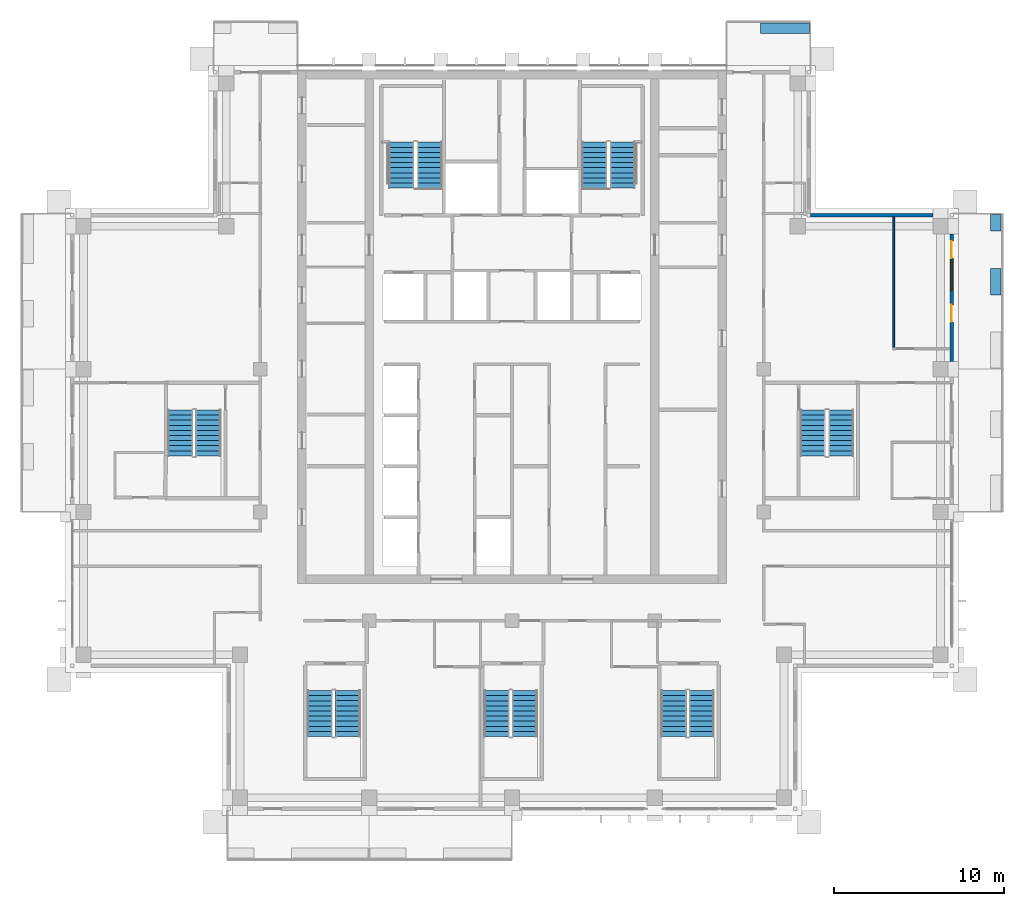
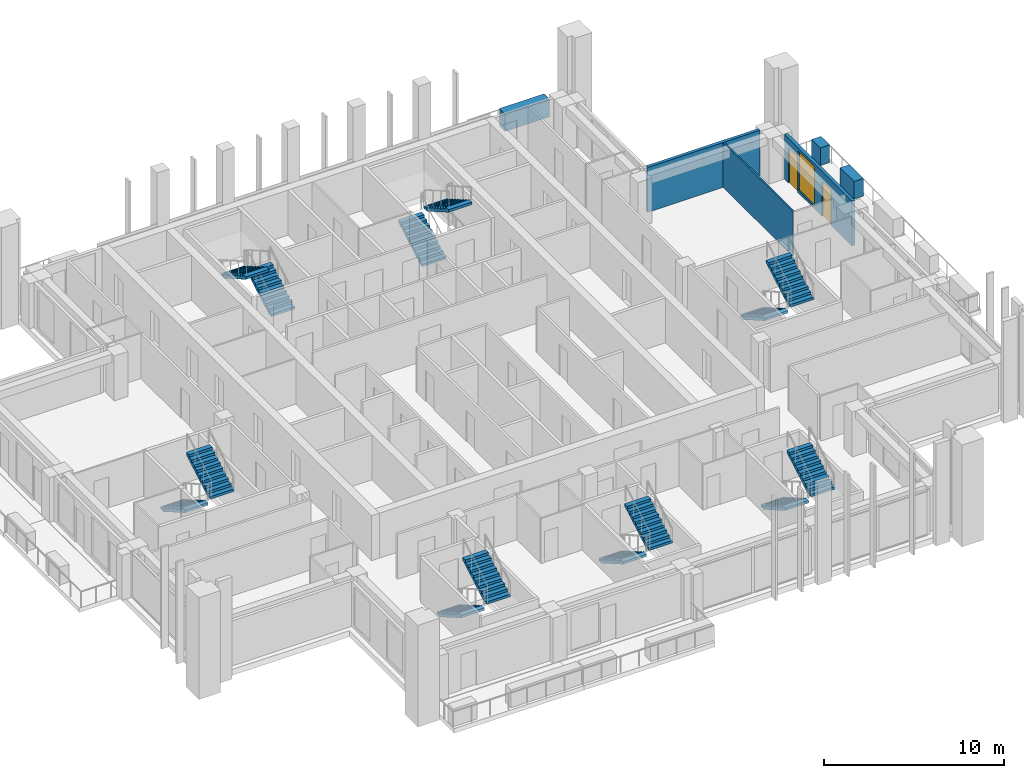
# One storey, part 12 of 16: 14 stair flights, 6 walls, 2 doors, 1 window, 3 openings, 7 elements without a shape of their own.
"""IFC4 building model written with IfcOpenShell, lengths in metres."""

import ifcopenshell
import ifcopenshell.guid

model = None  # the IFC model being written
_history = None  # IfcOwnerHistory: only IFC2X3 demands one
_inside = {}  # id of a spatial element -> (the spatial element, [elements in it])
_under = {}  # id of a project, library or spatial element -> (it, [spatial elements below it])
_declared = {}  # id of a project -> (the project, [libraries it declares])
_typed = {}  # id of a type object -> (the type object, [elements of that type])
_made_of = {}  # id of a material, layer set ... -> (it, [elements and type objects made of it])


def new_model(schema):
    """Start an empty IFC model of exactly this schema.

    Asked for "IFC4X3", IfcOpenShell would pick the latest addendum, in which some entities
    have other attributes; the version numbers below select the first issue.
    IFC2X3 requires an IfcOwnerHistory on every rooted entity: one is made here for all.
    """
    global model, _history
    if schema == "IFC4X3":
        model = ifcopenshell.file(schema_version=(4, 3, 0, 0))
    else:
        model = ifcopenshell.file(schema=schema)
    _inside.clear()
    _under.clear()
    _declared.clear()
    _typed.clear()
    _made_of.clear()
    _history = None
    if model.schema == "IFC2X3":
        org = make("IfcOrganization", Name="unknown")
        user = make(
            "IfcPersonAndOrganization",
            ThePerson=make("IfcPerson", FamilyName="unknown"),
            TheOrganization=org,
        )
        app = make(
            "IfcApplication",
            ApplicationDeveloper=org,
            Version="unknown",
            ApplicationFullName="unknown",
            ApplicationIdentifier="unknown",
        )
        _history = make(
            "IfcOwnerHistory",
            OwningUser=user,
            OwningApplication=app,
            ChangeAction="ADDED",
            CreationDate=0,
        )
    return model


def make(cls, **values):
    """One entity of the class cls with the attributes given. An attribute that is None is left unset."""
    return model.create_entity(
        cls, **{name: value for name, value in values.items() if value is not None}
    )


def rooted(cls, **values):
    """An entity with a GlobalId (a new one), such as an element, a storey or a relation."""
    return make(cls, GlobalId=ifcopenshell.guid.new(), OwnerHistory=_history, **values)


def si_unit(unit_type, name, prefix=None):
    """IfcSIUnit, for example si_unit("LENGTHUNIT", "METRE", prefix="MILLI")."""
    return make("IfcSIUnit", UnitType=unit_type, Prefix=prefix, Name=name)


def assignment(units):
    """IfcUnitAssignment: the units of a project."""
    return None if units is None else make("IfcUnitAssignment", Units=units)


def point(xyz):
    """IfcCartesianPoint."""
    return None if xyz is None else make("IfcCartesianPoint", Coordinates=xyz)


def direction(xyz):
    """IfcDirection."""
    return None if xyz is None else make("IfcDirection", DirectionRatios=xyz)


def frame(location, z_axis=None, x_axis=None):
    """IfcAxis2Placement3D, a coordinate frame: its origin and axes. An axis left out is left unset."""
    return make(
        "IfcAxis2Placement3D",
        Location=point(location),
        Axis=direction(z_axis),
        RefDirection=direction(x_axis),
    )


def frame_2d(location, x_axis=None):
    """IfcAxis2Placement2D, a coordinate frame in the plane: its origin and x axis."""
    return make(
        "IfcAxis2Placement2D", Location=point(location), RefDirection=direction(x_axis)
    )


def origin():
    """The frame at (0, 0, 0) with its axes left unset."""
    return frame((0.0, 0.0, 0.0))


def place(relative_to, where):
    """IfcLocalPlacement: puts the frame where relative to a parent placement (None: the world)."""
    return make(
        "IfcLocalPlacement", PlacementRelTo=relative_to, RelativePlacement=where
    )


def context(
    kind, dimensions, precision=None, world=None, true_north=None, identifier=None
):
    """IfcGeometricRepresentationContext, for example the 3D "Model" context."""
    return make(
        "IfcGeometricRepresentationContext",
        ContextIdentifier=identifier,
        ContextType=kind,
        CoordinateSpaceDimension=dimensions,
        Precision=precision,
        WorldCoordinateSystem=world,
        TrueNorth=true_north,
    )


def subcontext(parent, identifier, kind, view, scale=None):
    """IfcGeometricRepresentationSubContext, for example "Body" below "Model"."""
    return make(
        "IfcGeometricRepresentationSubContext",
        ContextIdentifier=identifier,
        ContextType=kind,
        ParentContext=parent,
        TargetScale=scale,
        TargetView=view,
    )


def project(units=None, contexts=None):
    """IfcProject with its units and contexts."""
    return rooted(
        "IfcProject",
        Name="project",
        RepresentationContexts=contexts,
        UnitsInContext=assignment(units),
    )


def spatial(cls, under=None, at=None, **own):
    """A site, building, storey or space (cls), placed at a placement, below another one or the project."""
    s = rooted(cls, ObjectPlacement=at, **own)
    if under is not None:
        _under.setdefault(under.id(), (under, []))[1].append(s)
    return s


def polyline(points):
    """IfcPolyline through the points."""
    return make("IfcPolyline", Points=[point(p) for p in points])


def profile(cls, at=None, kind="AREA", **sizes):
    """A parametric profile (cls). Its sizes go by their IFC names, for example OverallWidth=200.0."""
    return make(cls, ProfileType=kind, Position=at, **sizes)


def rectangle(**sizes):
    """IfcRectangleProfileDef."""
    return profile("IfcRectangleProfileDef", **sizes)


def outline(outer, holes=None, kind="AREA"):
    """IfcArbitraryClosedProfileDef: a profile drawn as a closed curve; with holes, ...WithVoids."""
    if holes is None:
        return make("IfcArbitraryClosedProfileDef", ProfileType=kind, OuterCurve=outer)
    return make(
        "IfcArbitraryProfileDefWithVoids",
        ProfileType=kind,
        OuterCurve=outer,
        InnerCurves=holes,
    )


def extrude(swept, where, along, depth):
    """IfcExtrudedAreaSolid: the profile swept, set in the frame where, extruded along a direction by depth."""
    return make(
        "IfcExtrudedAreaSolid",
        SweptArea=swept,
        Position=where,
        ExtrudedDirection=direction(along),
        Depth=depth,
    )


def shape(context_of_items, identifier, shape_type, items):
    """IfcShapeRepresentation: the items that make up one representation, for example the "Body"."""
    return make(
        "IfcShapeRepresentation",
        ContextOfItems=context_of_items,
        RepresentationIdentifier=identifier,
        RepresentationType=shape_type,
        Items=items,
    )


def material(Name=None, Category=None):
    """IfcMaterial."""
    return make("IfcMaterial", Name=Name, Category=Category)


def layer(
    of_material, thickness, ventilated=None, Name=None, Category=None, Priority=None
):
    """IfcMaterialLayer: one layer of a wall or slab, of a material (None: an air gap)."""
    return make(
        "IfcMaterialLayer",
        Material=of_material,
        LayerThickness=thickness,
        IsVentilated=ventilated,
        Name=Name,
        Category=Category,
        Priority=Priority,
    )


def layer_set(layers, Name=None):
    """IfcMaterialLayerSet."""
    return make("IfcMaterialLayerSet", MaterialLayers=layers, LayerSetName=Name)


def made_of(thing, what):
    """Note that an element or type object is made of a material, layer set ...; save() writes the relation."""
    if what is not None:
        _made_of.setdefault(what.id(), (what, []))[1].append(thing)
    return thing


def type_object(cls, material=None, **own):
    """A type object (cls), such as IfcWallType, which elements share."""
    return made_of(rooted(cls, **own), material)


def element(
    cls,
    number,
    at=None,
    inside=None,
    cuts=None,
    type_object=None,
    material=None,
    context=None,
    identifier="Body",
    shape_type=None,
    held_by="IfcProductDefinitionShape",
    body=None,
    shapes=None,
    **own,
):
    """One element of the class cls, such as IfcWall. Its Tag is "e" and its number.

    at: its placement. inside: the storey or other place that contains it. cuts: it is an
    opening in that element (IfcRelVoidsElement). A single representation is given by context,
    identifier, shape_type and body (its items); several are given by shapes. held_by: the class
    of the entity that holds the representations. save() writes the other relations.
    """
    e = rooted(cls, Tag="e%d" % number, ObjectPlacement=at, **own)
    if body is not None:
        shapes = [shape(context, identifier, shape_type, body)]
    if shapes is not None:
        e.Representation = make(held_by, Representations=shapes)
    if inside is not None:
        _inside.setdefault(inside.id(), (inside, []))[1].append(e)
    if cuts is not None:
        rooted(
            "IfcRelVoidsElement", RelatingBuildingElement=cuts, RelatedOpeningElement=e
        )
    if type_object is not None:
        _typed.setdefault(type_object.id(), (type_object, []))[1].append(e)
    return made_of(e, material)


def fill(opening, filler):
    """IfcRelFillsElement: the door or window that sits in an opening."""
    return rooted(
        "IfcRelFillsElement",
        RelatingOpeningElement=opening,
        RelatedBuildingElement=filler,
    )


def aggregate(whole, parts):
    """IfcRelAggregates: a whole, such as a stair, and the parts it consists of."""
    return rooted("IfcRelAggregates", RelatingObject=whole, RelatedObjects=parts)


def save(model, path):
    """Write the relations noted so far, then the file.

    IfcRelAggregates (storeys below a building ...), IfcRelContainedInSpatialStructure (elements
    in a storey), IfcRelDefinesByType, IfcRelAssociatesMaterial and IfcRelDeclares: one each for
    every whole, place, type object, material and project.
    """
    for whole, parts in _under.values():
        aggregate(whole, parts)
    for where, things in _inside.values():
        rooted(
            "IfcRelContainedInSpatialStructure",
            RelatedElements=things,
            RelatingStructure=where,
        )
    for kind, things in _typed.values():
        rooted("IfcRelDefinesByType", RelatedObjects=things, RelatingType=kind)
    for what, things in _made_of.values():
        rooted("IfcRelAssociatesMaterial", RelatedObjects=things, RelatingMaterial=what)
    for by, libraries in _declared.values():
        rooted("IfcRelDeclares", RelatingContext=by, RelatedDefinitions=libraries)
    model.write(path)


model = new_model("IFC4")

# Units and contexts
model_context = context("Model", 3, precision=1e-05, world=origin(), true_north=direction((0.0, 1.0)))
body_context = subcontext(model_context, "Body", "Model", "MODEL_VIEW")
ifc_project = project(units=[si_unit("LENGTHUNIT", "METRE"), si_unit("AREAUNIT", "SQUARE_METRE"), si_unit("VOLUMEUNIT", "CUBIC_METRE"), si_unit("PLANEANGLEUNIT", "RADIAN"), si_unit("MASSUNIT", "GRAM", prefix="KILO")], contexts=[model_context])

# Site, building, storey
site_placement = place(None, origin())
site = spatial("IfcSite", under=ifc_project, at=site_placement, CompositionType="ELEMENT")
building_placement = place(site_placement, origin())
building = spatial("IfcBuilding", under=site, at=building_placement, Name="Vermilion Ogive Tower", CompositionType="ELEMENT")
storey_placement = place(building_placement, frame((0.0, 0.0, 247.60009765625)))
storey = spatial("IfcBuildingStorey", under=building, at=storey_placement, Name="L65", CompositionType="ELEMENT", Elevation=247.60009765625)

# Walls
ifc_material_1 = material(Name="Gypsum board partition on steel studs", Category="steel")
ifc_layer_1 = layer(ifc_material_1, 0.10009765625)
ifc_layer_set_1 = layer_set([ifc_layer_1], Name="Partition 100 inner")
wall_type_1 = type_object("IfcWallType", Name="Partition 100 inner", PredefinedType="PARTITIONING", material=ifc_layer_set_1)
wall_1_placement = place(storey_placement, frame((22.449951171875, 5.449951171875, 0.0), z_axis=(0.0, 0.0, 1.0), x_axis=(0.0, 1.0, 0.0)))
element("IfcWall", 1, at=wall_1_placement, inside=storey, type_object=wall_type_1, Name="L65-W-W064", PredefinedType="PARTITIONING", context=body_context, shape_type="SweptSolid", body=[
    extrude(rectangle(XDim=7.699951171875, YDim=0.10009765625, at=frame_2d((3.85009765625, 0.0))), origin(), (0.0, 0.0, 1.0), 3.0498046875),
])
ifc_material_2 = material(Name="Concrete B40", Category="concrete")
ifc_layer_2 = layer(ifc_material_2, 0.60009765625)
ifc_layer_set_2 = layer_set([ifc_layer_2], Name="Structural planter")
wall_type_2 = type_object("IfcWallType", Name="Structural planter", PredefinedType="USERDEFINED", material=ifc_layer_set_2)
wall_2_placement = place(storey_placement, frame((28.45361328125, 8.574951171875, -0.0400390625), z_axis=(0.0, 0.0, 1.0), x_axis=(0.0, 1.0, 0.0)))
element("IfcWall", 2, at=wall_2_placement, inside=storey, type_object=wall_type_2, Name="Planter E03A2", ObjectType="PLANTER", PredefinedType="USERDEFINED", context=body_context, shape_type="SweptSolid", body=[
    extrude(rectangle(XDim=1.550048828125, YDim=0.60009765625, at=frame_2d((0.77490234375, 0.0))), origin(), (0.0, 0.0, 1.0), 1.199951171875),
])
wall_3_placement = place(storey_placement, frame((28.45361328125, 12.324951171875, -0.0400390625), z_axis=(0.0, 0.0, 1.0), x_axis=(0.0, 1.0, 0.0)))
element("IfcWall", 3, at=wall_3_placement, inside=storey, type_object=wall_type_2, Name="Planter E03A3", ObjectType="PLANTER", PredefinedType="USERDEFINED", context=body_context, shape_type="SweptSolid", body=[
    extrude(rectangle(XDim=0.965087890625, YDim=0.60009765625, at=frame_2d((0.482421875, 0.0))), origin(), (0.0, 0.0, 1.0), 1.199951171875),
])
wall_4_placement = place(storey_placement, frame((17.489990234375, 24.253662109375, -0.0400390625), z_axis=(0.0, 0.0, 1.0), x_axis=(-1.0, 0.0, 0.0)))
element("IfcWall", 4, at=wall_4_placement, inside=storey, type_object=wall_type_2, Name="Planter N101A1", ObjectType="PLANTER", PredefinedType="USERDEFINED", context=body_context, shape_type="SweptSolid", body=[
    extrude(rectangle(XDim=2.864990234375, YDim=0.60009765625, at=frame_2d((1.4326171875, 0.0))), origin(), (0.0, 0.0, 1.0), 1.199951171875),
])

# Wall, openings, doors, window
ifc_material_3 = material(Name="Aluminium window wall framing", Category="aluminium")
ifc_layer_3 = layer(ifc_material_3, 0.199951171875)
ifc_layer_set_3 = layer_set([ifc_layer_3], Name="Window wall")
wall_type_3 = type_object("IfcWallType", Name="Window wall", PredefinedType="STANDARD", material=ifc_layer_set_3)
wall_5_placement = place(storey_placement, frame((25.85009765625, 4.64990234375, 0.0), z_axis=(0.0, 0.0, 1.0), x_axis=(0.0, 1.0, 0.0)))
wall_5 = element("IfcWall", 5, at=wall_5_placement, inside=storey, type_object=wall_type_3, Name="Window wall E3", PredefinedType="STANDARD", context=body_context, shape_type="SweptSolid", body=[
    extrude(rectangle(XDim=7.5, YDim=0.199951171875, at=frame_2d((3.75, 0.0))), origin(), (0.0, 0.0, 1.0), 3.0498046875),
])
opening_1_placement = place(wall_5_placement, frame((2.324951171875, 0.0, 0.0)))
opening_1 = element("IfcOpeningElement", 6, at=opening_1_placement, cuts=wall_5, Name="Opening D1-E01", PredefinedType="OPENING", context=body_context, shape_type="SweptSolid", body=[
    extrude(rectangle(XDim=1.0, YDim=2.39990234375, at=frame_2d((0.5, 1.199951171875))), frame((0.0, 0.10986328125, 0.0), z_axis=(0.0, -1.0, 0.0), x_axis=(1.0, 0.0, 0.0)), (0.0, 0.0, 1.0), 0.219970703125),
])
opening_2_placement = place(wall_5_placement, frame((4.175048828125, 0.0, 0.199951171875)))
opening_2 = element("IfcOpeningElement", 7, at=opening_2_placement, cuts=wall_5, Name="Opening W1-E02", PredefinedType="OPENING", context=body_context, shape_type="SweptSolid", body=[
    extrude(rectangle(XDim=1.800048828125, YDim=2.64990234375, at=frame_2d((0.89990234375, 1.324951171875))), frame((0.0, 0.10986328125, 0.0), z_axis=(0.0, -1.0, 0.0), x_axis=(1.0, 0.0, 0.0)), (0.0, 0.0, 1.0), 0.219970703125),
])
opening_3_placement = place(wall_5_placement, frame((6.074951171875, 0.0, 0.0)))
opening_3 = element("IfcOpeningElement", 8, at=opening_3_placement, cuts=wall_5, Name="Opening D1-E02", PredefinedType="OPENING", context=body_context, shape_type="SweptSolid", body=[
    extrude(rectangle(XDim=1.0, YDim=2.39990234375, at=frame_2d((0.5, 1.199951171875))), frame((0.0, 0.10986328125, 0.0), z_axis=(0.0, -1.0, 0.0), x_axis=(1.0, 0.0, 0.0)), (0.0, 0.0, 1.0), 0.219970703125),
])
ifc_material_4 = material(Name="Aluminium framed glazed door", Category="aluminium")
door_type = type_object("IfcDoorType", Name="Balcony door D1", OperationType="SINGLE_SWING_LEFT", PredefinedType="DOOR", material=ifc_material_4)
door_1_placement = place(opening_1_placement, origin())
door_1 = element("IfcDoor", 9, at=door_1_placement, inside=storey, type_object=door_type, Name="Balcony door E01", OperationType="SINGLE_SWING_LEFT", OverallHeight=2.39990234375, OverallWidth=1.0, PredefinedType="DOOR", context=body_context, shape_type="SweptSolid", body=[
    extrude(rectangle(XDim=1.0, YDim=2.39990234375, at=frame_2d((0.5, 1.199951171875))), frame((0.0, 0.02490234375, 0.0), z_axis=(0.0, -1.0, 0.0), x_axis=(1.0, 0.0, 0.0)), (0.0, 0.0, 1.0), 0.050048828125),
])
fill(opening_1, door_1)
door_2_placement = place(opening_3_placement, origin())
door_2 = element("IfcDoor", 10, at=door_2_placement, inside=storey, type_object=door_type, Name="Balcony door E02", OperationType="SINGLE_SWING_LEFT", OverallHeight=2.39990234375, OverallWidth=1.0, PredefinedType="DOOR", context=body_context, shape_type="SweptSolid", body=[
    extrude(rectangle(XDim=1.0, YDim=2.39990234375, at=frame_2d((0.5, 1.199951171875))), frame((0.0, 0.02490234375, 0.0), z_axis=(0.0, -1.0, 0.0), x_axis=(1.0, 0.0, 0.0)), (0.0, 0.0, 1.0), 0.050048828125),
])
fill(opening_3, door_2)
ifc_material_5 = material(Name="Aluminium framed double glazing", Category="aluminium")
window_type = type_object("IfcWindowType", Name="Guest window W1", PartitioningType="SINGLE_PANEL", PredefinedType="WINDOW", material=ifc_material_5)
window_placement = place(opening_2_placement, origin())
window = element("IfcWindow", 11, at=window_placement, inside=storey, type_object=window_type, Name="Window E02", OverallHeight=2.64990234375, OverallWidth=1.800048828125, PartitioningType="SINGLE_PANEL", PredefinedType="WINDOW", context=body_context, shape_type="SweptSolid", body=[
    extrude(rectangle(XDim=1.800048828125, YDim=2.64990234375, at=frame_2d((0.89990234375, 1.324951171875))), frame((0.0, 0.030029296875, 0.0), z_axis=(0.0, -1.0, 0.0), x_axis=(1.0, 0.0, 0.0)), (0.0, 0.0, 1.0), 0.06005859375),
])
fill(opening_2, window)

# Wall
wall_6_placement = place(storey_placement, frame((24.75, 13.25, 0.0), z_axis=(0.0, 0.0, 1.0), x_axis=(-1.0, 0.0, 0.0)))
element("IfcWall", 12, at=wall_6_placement, inside=storey, type_object=wall_type_3, Name="Window wall X31", PredefinedType="STANDARD", context=body_context, shape_type="SweptSolid", body=[
    extrude(rectangle(XDim=7.199951171875, YDim=0.199951171875, at=frame_2d((3.60009765625, 0.0))), origin(), (0.0, 0.0, 1.0), 3.0498046875),
])

# Stair, stair flights
ifc_material_6 = material(Name="Concrete B40", Category="concrete")
stair_type = type_object("IfcStairType", Name="Exit stair 1500", PredefinedType="HALF_TURN_STAIR", material=ifc_material_6)
stair_1_placement = place(storey_placement, origin())
stair_1 = element("IfcStair", 13, at=stair_1_placement, inside=storey, type_object=stair_type, Name="L65 Exit Stair ST1", PredefinedType="HALF_TURN_STAIR")
ifc_material_7 = material(Name="Concrete B40", Category="concrete")
stair_flight_type = type_object("IfcStairFlightType", Name="Stair flight 1500", PredefinedType="STRAIGHT", material=ifc_material_7)
stair_flight_1_placement = place(storey_placement, frame((-4.85009765625, 14.85009765625, 0.0), z_axis=(0.0, 0.0, 1.0), x_axis=(0.0, 1.0, 0.0)))
stair_flight_1 = element("IfcStairFlight", 14, at=stair_flight_1_placement, type_object=stair_flight_type, Name="ST1 flight 1", NumberOfRisers=10, NumberOfTreads=9, PredefinedType="STRAIGHT", RiserHeight=0.1725, TreadLength=0.3, context=body_context, shape_type="SweptSolid", body=[
    extrude(outline(polyline([(0.0, 0.0), (0.0, 0.172607421875), (0.300048828125, 0.172607421875), (0.300048828125, 0.344970703125), (0.60009765625, 0.344970703125), (0.60009765625, 0.517578125), (0.89990234375, 0.517578125), (0.89990234375, 0.68994140625), (1.199951171875, 0.68994140625), (1.199951171875, 0.862548828125), (1.5, 0.862548828125), (1.5, 1.034912109375), (1.800048828125, 1.034912109375), (1.800048828125, 1.20751953125), (2.10009765625, 1.20751953125), (2.10009765625, 1.3798828125), (2.39990234375, 1.3798828125), (2.39990234375, 1.552490234375), (2.699951171875, 1.552490234375), (2.699951171875, 1.72509765625), (2.699951171875, 1.379638671875), (0.30078125, 0.0), (0.0, 0.0)])), frame((0.0, 0.75, 0.0), z_axis=(0.0, -1.0, 0.0), x_axis=(1.0, 0.0, 0.0)), (0.0, 0.0, 1.0), 1.5),
])
stair_flight_2_placement = place(storey_placement, frame((-6.5, 17.550048828125, 1.724853515625), z_axis=(0.0, 0.0, 1.0), x_axis=(0.0, -1.0, 0.0)))
stair_flight_2 = element("IfcStairFlight", 15, at=stair_flight_2_placement, type_object=stair_flight_type, Name="ST1 flight 2", NumberOfRisers=10, NumberOfTreads=9, PredefinedType="STRAIGHT", RiserHeight=0.1725, TreadLength=0.3, context=body_context, shape_type="SweptSolid", body=[
    extrude(outline(polyline([(0.0, 0.0), (0.0, 0.172607421875), (0.300048828125, 0.172607421875), (0.300048828125, 0.344970703125), (0.60009765625, 0.344970703125), (0.60009765625, 0.517578125), (0.89990234375, 0.517578125), (0.89990234375, 0.68994140625), (1.199951171875, 0.68994140625), (1.199951171875, 0.862548828125), (1.5, 0.862548828125), (1.5, 1.034912109375), (1.800048828125, 1.034912109375), (1.800048828125, 1.20751953125), (2.10009765625, 1.20751953125), (2.10009765625, 1.3798828125), (2.39990234375, 1.3798828125), (2.39990234375, 1.552490234375), (2.699951171875, 1.552490234375), (2.699951171875, 1.72509765625), (2.699951171875, 1.379638671875), (0.30078125, 0.0), (0.0, 0.0)])), frame((0.0, 0.75, 0.0), z_axis=(0.0, -1.0, 0.0), x_axis=(1.0, 0.0, 0.0)), (0.0, 0.0, 1.0), 1.5),
])
aggregate(stair_1, [stair_flight_1, stair_flight_2])

stair_2_placement = place(storey_placement, origin())
stair_2 = element("IfcStair", 16, at=stair_2_placement, inside=storey, type_object=stair_type, Name="L65 Exit Stair ST2", PredefinedType="HALF_TURN_STAIR")
stair_flight_3_placement = place(storey_placement, frame((4.85009765625, 14.85009765625, 0.0), z_axis=(0.0, 0.0, 1.0), x_axis=(0.0, 1.0, 0.0)))
stair_flight_3 = element("IfcStairFlight", 17, at=stair_flight_3_placement, type_object=stair_flight_type, Name="ST2 flight 1", NumberOfRisers=10, NumberOfTreads=9, PredefinedType="STRAIGHT", RiserHeight=0.1725, TreadLength=0.3, context=body_context, shape_type="SweptSolid", body=[
    extrude(outline(polyline([(0.0, 0.0), (0.0, 0.172607421875), (0.300048828125, 0.172607421875), (0.300048828125, 0.344970703125), (0.60009765625, 0.344970703125), (0.60009765625, 0.517578125), (0.89990234375, 0.517578125), (0.89990234375, 0.68994140625), (1.199951171875, 0.68994140625), (1.199951171875, 0.862548828125), (1.5, 0.862548828125), (1.5, 1.034912109375), (1.800048828125, 1.034912109375), (1.800048828125, 1.20751953125), (2.10009765625, 1.20751953125), (2.10009765625, 1.3798828125), (2.39990234375, 1.3798828125), (2.39990234375, 1.552490234375), (2.699951171875, 1.552490234375), (2.699951171875, 1.72509765625), (2.699951171875, 1.379638671875), (0.30078125, 0.0), (0.0, 0.0)])), frame((0.0, 0.75, 0.0), z_axis=(0.0, -1.0, 0.0), x_axis=(1.0, 0.0, 0.0)), (0.0, 0.0, 1.0), 1.5),
])
stair_flight_4_placement = place(storey_placement, frame((6.5, 17.550048828125, 1.724853515625), z_axis=(0.0, 0.0, 1.0), x_axis=(0.0, -1.0, 0.0)))
stair_flight_4 = element("IfcStairFlight", 18, at=stair_flight_4_placement, type_object=stair_flight_type, Name="ST2 flight 2", NumberOfRisers=10, NumberOfTreads=9, PredefinedType="STRAIGHT", RiserHeight=0.1725, TreadLength=0.3, context=body_context, shape_type="SweptSolid", body=[
    extrude(outline(polyline([(0.0, 0.0), (0.0, 0.172607421875), (0.300048828125, 0.172607421875), (0.300048828125, 0.344970703125), (0.60009765625, 0.344970703125), (0.60009765625, 0.517578125), (0.89990234375, 0.517578125), (0.89990234375, 0.68994140625), (1.199951171875, 0.68994140625), (1.199951171875, 0.862548828125), (1.5, 0.862548828125), (1.5, 1.034912109375), (1.800048828125, 1.034912109375), (1.800048828125, 1.20751953125), (2.10009765625, 1.20751953125), (2.10009765625, 1.3798828125), (2.39990234375, 1.3798828125), (2.39990234375, 1.552490234375), (2.699951171875, 1.552490234375), (2.699951171875, 1.72509765625), (2.699951171875, 1.379638671875), (0.30078125, 0.0), (0.0, 0.0)])), frame((0.0, 0.75, 0.0), z_axis=(0.0, -1.0, 0.0), x_axis=(1.0, 0.0, 0.0)), (0.0, 0.0, 1.0), 1.5),
])
aggregate(stair_2, [stair_flight_3, stair_flight_4])

stair_3_placement = place(storey_placement, origin())
stair_3 = element("IfcStair", 19, at=stair_3_placement, inside=storey, type_object=stair_type, Name="L65 Exit Stair ST3", PredefinedType="HALF_TURN_STAIR")
stair_flight_5_placement = place(storey_placement, frame((-11.300048828125, -14.699951171875, 0.0), z_axis=(0.0, 0.0, 1.0), x_axis=(0.0, -1.0, 0.0)))
stair_flight_5 = element("IfcStairFlight", 20, at=stair_flight_5_placement, type_object=stair_flight_type, Name="ST3 flight 1", NumberOfRisers=10, NumberOfTreads=9, PredefinedType="STRAIGHT", RiserHeight=0.1725, TreadLength=0.3, context=body_context, shape_type="SweptSolid", body=[
    extrude(outline(polyline([(0.0, 0.0), (0.0, 0.172607421875), (0.300048828125, 0.172607421875), (0.300048828125, 0.344970703125), (0.60009765625, 0.344970703125), (0.60009765625, 0.517578125), (0.89990234375, 0.517578125), (0.89990234375, 0.68994140625), (1.199951171875, 0.68994140625), (1.199951171875, 0.862548828125), (1.5, 0.862548828125), (1.5, 1.034912109375), (1.800048828125, 1.034912109375), (1.800048828125, 1.20751953125), (2.10009765625, 1.20751953125), (2.10009765625, 1.3798828125), (2.39990234375, 1.3798828125), (2.39990234375, 1.552490234375), (2.699951171875, 1.552490234375), (2.699951171875, 1.72509765625), (2.699951171875, 1.379638671875), (0.30078125, 0.0), (0.0, 0.0)])), frame((0.0, 0.75, 0.0), z_axis=(0.0, -1.0, 0.0), x_axis=(1.0, 0.0, 0.0)), (0.0, 0.0, 1.0), 1.5),
])
stair_flight_6_placement = place(storey_placement, frame((-9.64990234375, -17.39990234375, 1.724853515625), z_axis=(0.0, 0.0, 1.0), x_axis=(0.0, 1.0, 0.0)))
stair_flight_6 = element("IfcStairFlight", 21, at=stair_flight_6_placement, type_object=stair_flight_type, Name="ST3 flight 2", NumberOfRisers=10, NumberOfTreads=9, PredefinedType="STRAIGHT", RiserHeight=0.1725, TreadLength=0.3, context=body_context, shape_type="SweptSolid", body=[
    extrude(outline(polyline([(0.0, 0.0), (0.0, 0.172607421875), (0.300048828125, 0.172607421875), (0.300048828125, 0.344970703125), (0.60009765625, 0.344970703125), (0.60009765625, 0.517578125), (0.89990234375, 0.517578125), (0.89990234375, 0.68994140625), (1.199951171875, 0.68994140625), (1.199951171875, 0.862548828125), (1.5, 0.862548828125), (1.5, 1.034912109375), (1.800048828125, 1.034912109375), (1.800048828125, 1.20751953125), (2.10009765625, 1.20751953125), (2.10009765625, 1.3798828125), (2.39990234375, 1.3798828125), (2.39990234375, 1.552490234375), (2.699951171875, 1.552490234375), (2.699951171875, 1.72509765625), (2.699951171875, 1.379638671875), (0.30078125, 0.0), (0.0, 0.0)])), frame((0.0, 0.75, 0.0), z_axis=(0.0, -1.0, 0.0), x_axis=(1.0, 0.0, 0.0)), (0.0, 0.0, 1.0), 1.5),
])
aggregate(stair_3, [stair_flight_5, stair_flight_6])

stair_4_placement = place(storey_placement, origin())
stair_4 = element("IfcStair", 22, at=stair_4_placement, inside=storey, type_object=stair_type, Name="L65 Exit Stair ST4", PredefinedType="HALF_TURN_STAIR")
stair_flight_7_placement = place(storey_placement, frame((-0.89990234375, -14.699951171875, 0.0), z_axis=(0.0, 0.0, 1.0), x_axis=(0.0, -1.0, 0.0)))
stair_flight_7 = element("IfcStairFlight", 23, at=stair_flight_7_placement, type_object=stair_flight_type, Name="ST4 flight 1", NumberOfRisers=10, NumberOfTreads=9, PredefinedType="STRAIGHT", RiserHeight=0.1725, TreadLength=0.3, context=body_context, shape_type="SweptSolid", body=[
    extrude(outline(polyline([(0.0, 0.0), (0.0, 0.172607421875), (0.300048828125, 0.172607421875), (0.300048828125, 0.344970703125), (0.60009765625, 0.344970703125), (0.60009765625, 0.517578125), (0.89990234375, 0.517578125), (0.89990234375, 0.68994140625), (1.199951171875, 0.68994140625), (1.199951171875, 0.862548828125), (1.5, 0.862548828125), (1.5, 1.034912109375), (1.800048828125, 1.034912109375), (1.800048828125, 1.20751953125), (2.10009765625, 1.20751953125), (2.10009765625, 1.3798828125), (2.39990234375, 1.3798828125), (2.39990234375, 1.552490234375), (2.699951171875, 1.552490234375), (2.699951171875, 1.72509765625), (2.699951171875, 1.379638671875), (0.30078125, 0.0), (0.0, 0.0)])), frame((0.0, 0.75, 0.0), z_axis=(0.0, -1.0, 0.0), x_axis=(1.0, 0.0, 0.0)), (0.0, 0.0, 1.0), 1.5),
])
stair_flight_8_placement = place(storey_placement, frame((0.75, -17.39990234375, 1.724853515625), z_axis=(0.0, 0.0, 1.0), x_axis=(0.0, 1.0, 0.0)))
stair_flight_8 = element("IfcStairFlight", 24, at=stair_flight_8_placement, type_object=stair_flight_type, Name="ST4 flight 2", NumberOfRisers=10, NumberOfTreads=9, PredefinedType="STRAIGHT", RiserHeight=0.1725, TreadLength=0.3, context=body_context, shape_type="SweptSolid", body=[
    extrude(outline(polyline([(0.0, 0.0), (0.0, 0.172607421875), (0.300048828125, 0.172607421875), (0.300048828125, 0.344970703125), (0.60009765625, 0.344970703125), (0.60009765625, 0.517578125), (0.89990234375, 0.517578125), (0.89990234375, 0.68994140625), (1.199951171875, 0.68994140625), (1.199951171875, 0.862548828125), (1.5, 0.862548828125), (1.5, 1.034912109375), (1.800048828125, 1.034912109375), (1.800048828125, 1.20751953125), (2.10009765625, 1.20751953125), (2.10009765625, 1.3798828125), (2.39990234375, 1.3798828125), (2.39990234375, 1.552490234375), (2.699951171875, 1.552490234375), (2.699951171875, 1.72509765625), (2.699951171875, 1.379638671875), (0.30078125, 0.0), (0.0, 0.0)])), frame((0.0, 0.75, 0.0), z_axis=(0.0, -1.0, 0.0), x_axis=(1.0, 0.0, 0.0)), (0.0, 0.0, 1.0), 1.5),
])
aggregate(stair_4, [stair_flight_7, stair_flight_8])

stair_5_placement = place(storey_placement, origin())
stair_5 = element("IfcStair", 25, at=stair_5_placement, inside=storey, type_object=stair_type, Name="L65 Exit Stair ST5", PredefinedType="HALF_TURN_STAIR")
stair_flight_9_placement = place(storey_placement, frame((9.5, -14.699951171875, 0.0), z_axis=(0.0, 0.0, 1.0), x_axis=(0.0, -1.0, 0.0)))
stair_flight_9 = element("IfcStairFlight", 26, at=stair_flight_9_placement, type_object=stair_flight_type, Name="ST5 flight 1", NumberOfRisers=10, NumberOfTreads=9, PredefinedType="STRAIGHT", RiserHeight=0.1725, TreadLength=0.3, context=body_context, shape_type="SweptSolid", body=[
    extrude(outline(polyline([(0.0, 0.0), (0.0, 0.172607421875), (0.300048828125, 0.172607421875), (0.300048828125, 0.344970703125), (0.60009765625, 0.344970703125), (0.60009765625, 0.517578125), (0.89990234375, 0.517578125), (0.89990234375, 0.68994140625), (1.199951171875, 0.68994140625), (1.199951171875, 0.862548828125), (1.5, 0.862548828125), (1.5, 1.034912109375), (1.800048828125, 1.034912109375), (1.800048828125, 1.20751953125), (2.10009765625, 1.20751953125), (2.10009765625, 1.3798828125), (2.39990234375, 1.3798828125), (2.39990234375, 1.552490234375), (2.699951171875, 1.552490234375), (2.699951171875, 1.72509765625), (2.699951171875, 1.379638671875), (0.30078125, 0.0), (0.0, 0.0)])), frame((0.0, 0.75, 0.0), z_axis=(0.0, -1.0, 0.0), x_axis=(1.0, 0.0, 0.0)), (0.0, 0.0, 1.0), 1.5),
])
stair_flight_10_placement = place(storey_placement, frame((11.14990234375, -17.39990234375, 1.724853515625), z_axis=(0.0, 0.0, 1.0), x_axis=(0.0, 1.0, 0.0)))
stair_flight_10 = element("IfcStairFlight", 27, at=stair_flight_10_placement, type_object=stair_flight_type, Name="ST5 flight 2", NumberOfRisers=10, NumberOfTreads=9, PredefinedType="STRAIGHT", RiserHeight=0.1725, TreadLength=0.3, context=body_context, shape_type="SweptSolid", body=[
    extrude(outline(polyline([(0.0, 0.0), (0.0, 0.172607421875), (0.300048828125, 0.172607421875), (0.300048828125, 0.344970703125), (0.60009765625, 0.344970703125), (0.60009765625, 0.517578125), (0.89990234375, 0.517578125), (0.89990234375, 0.68994140625), (1.199951171875, 0.68994140625), (1.199951171875, 0.862548828125), (1.5, 0.862548828125), (1.5, 1.034912109375), (1.800048828125, 1.034912109375), (1.800048828125, 1.20751953125), (2.10009765625, 1.20751953125), (2.10009765625, 1.3798828125), (2.39990234375, 1.3798828125), (2.39990234375, 1.552490234375), (2.699951171875, 1.552490234375), (2.699951171875, 1.72509765625), (2.699951171875, 1.379638671875), (0.30078125, 0.0), (0.0, 0.0)])), frame((0.0, 0.75, 0.0), z_axis=(0.0, -1.0, 0.0), x_axis=(1.0, 0.0, 0.0)), (0.0, 0.0, 1.0), 1.5),
])
aggregate(stair_5, [stair_flight_9, stair_flight_10])

stair_6_placement = place(storey_placement, origin())
stair_6 = element("IfcStair", 28, at=stair_6_placement, inside=storey, type_object=stair_type, Name="L65 Exit Stair ST8", PredefinedType="HALF_TURN_STAIR")
stair_flight_11_placement = place(storey_placement, frame((17.699951171875, 1.800048828125, 0.0), z_axis=(0.0, 0.0, 1.0), x_axis=(0.0, -1.0, 0.0)))
stair_flight_11 = element("IfcStairFlight", 29, at=stair_flight_11_placement, type_object=stair_flight_type, Name="ST8 flight 1", NumberOfRisers=10, NumberOfTreads=9, PredefinedType="STRAIGHT", RiserHeight=0.1725, TreadLength=0.3, context=body_context, shape_type="SweptSolid", body=[
    extrude(outline(polyline([(0.0, 0.0), (0.0, 0.172607421875), (0.300048828125, 0.172607421875), (0.300048828125, 0.344970703125), (0.60009765625, 0.344970703125), (0.60009765625, 0.517578125), (0.89990234375, 0.517578125), (0.89990234375, 0.68994140625), (1.199951171875, 0.68994140625), (1.199951171875, 0.862548828125), (1.5, 0.862548828125), (1.5, 1.034912109375), (1.800048828125, 1.034912109375), (1.800048828125, 1.20751953125), (2.10009765625, 1.20751953125), (2.10009765625, 1.3798828125), (2.39990234375, 1.3798828125), (2.39990234375, 1.552490234375), (2.699951171875, 1.552490234375), (2.699951171875, 1.72509765625), (2.699951171875, 1.379638671875), (0.30078125, 0.0), (0.0, 0.0)])), frame((0.0, 0.75, 0.0), z_axis=(0.0, -1.0, 0.0), x_axis=(1.0, 0.0, 0.0)), (0.0, 0.0, 1.0), 1.5),
])
stair_flight_12_placement = place(storey_placement, frame((19.35009765625, -0.89990234375, 1.724853515625), z_axis=(0.0, 0.0, 1.0), x_axis=(0.0, 1.0, 0.0)))
stair_flight_12 = element("IfcStairFlight", 30, at=stair_flight_12_placement, type_object=stair_flight_type, Name="ST8 flight 2", NumberOfRisers=10, NumberOfTreads=9, PredefinedType="STRAIGHT", RiserHeight=0.1725, TreadLength=0.3, context=body_context, shape_type="SweptSolid", body=[
    extrude(outline(polyline([(0.0, 0.0), (0.0, 0.172607421875), (0.300048828125, 0.172607421875), (0.300048828125, 0.344970703125), (0.60009765625, 0.344970703125), (0.60009765625, 0.517578125), (0.89990234375, 0.517578125), (0.89990234375, 0.68994140625), (1.199951171875, 0.68994140625), (1.199951171875, 0.862548828125), (1.5, 0.862548828125), (1.5, 1.034912109375), (1.800048828125, 1.034912109375), (1.800048828125, 1.20751953125), (2.10009765625, 1.20751953125), (2.10009765625, 1.3798828125), (2.39990234375, 1.3798828125), (2.39990234375, 1.552490234375), (2.699951171875, 1.552490234375), (2.699951171875, 1.72509765625), (2.699951171875, 1.379638671875), (0.30078125, 0.0), (0.0, 0.0)])), frame((0.0, 0.75, 0.0), z_axis=(0.0, -1.0, 0.0), x_axis=(1.0, 0.0, 0.0)), (0.0, 0.0, 1.0), 1.5),
])
aggregate(stair_6, [stair_flight_11, stair_flight_12])

stair_7_placement = place(storey_placement, origin())
stair_7 = element("IfcStair", 31, at=stair_7_placement, inside=storey, type_object=stair_type, Name="L65 Exit Stair ST9", PredefinedType="HALF_TURN_STAIR")
stair_flight_13_placement = place(storey_placement, frame((-19.5, 1.800048828125, 0.0), z_axis=(0.0, 0.0, 1.0), x_axis=(0.0, -1.0, 0.0)))
stair_flight_13 = element("IfcStairFlight", 32, at=stair_flight_13_placement, type_object=stair_flight_type, Name="ST9 flight 1", NumberOfRisers=10, NumberOfTreads=9, PredefinedType="STRAIGHT", RiserHeight=0.1725, TreadLength=0.3, context=body_context, shape_type="SweptSolid", body=[
    extrude(outline(polyline([(0.0, 0.0), (0.0, 0.172607421875), (0.300048828125, 0.172607421875), (0.300048828125, 0.344970703125), (0.60009765625, 0.344970703125), (0.60009765625, 0.517578125), (0.89990234375, 0.517578125), (0.89990234375, 0.68994140625), (1.199951171875, 0.68994140625), (1.199951171875, 0.862548828125), (1.5, 0.862548828125), (1.5, 1.034912109375), (1.800048828125, 1.034912109375), (1.800048828125, 1.20751953125), (2.10009765625, 1.20751953125), (2.10009765625, 1.3798828125), (2.39990234375, 1.3798828125), (2.39990234375, 1.552490234375), (2.699951171875, 1.552490234375), (2.699951171875, 1.72509765625), (2.699951171875, 1.379638671875), (0.30078125, 0.0), (0.0, 0.0)])), frame((0.0, 0.75, 0.0), z_axis=(0.0, -1.0, 0.0), x_axis=(1.0, 0.0, 0.0)), (0.0, 0.0, 1.0), 1.5),
])
stair_flight_14_placement = place(storey_placement, frame((-17.85009765625, -0.89990234375, 1.724853515625), z_axis=(0.0, 0.0, 1.0), x_axis=(0.0, 1.0, 0.0)))
stair_flight_14 = element("IfcStairFlight", 33, at=stair_flight_14_placement, type_object=stair_flight_type, Name="ST9 flight 2", NumberOfRisers=10, NumberOfTreads=9, PredefinedType="STRAIGHT", RiserHeight=0.1725, TreadLength=0.3, context=body_context, shape_type="SweptSolid", body=[
    extrude(outline(polyline([(0.0, 0.0), (0.0, 0.172607421875), (0.300048828125, 0.172607421875), (0.300048828125, 0.344970703125), (0.60009765625, 0.344970703125), (0.60009765625, 0.517578125), (0.89990234375, 0.517578125), (0.89990234375, 0.68994140625), (1.199951171875, 0.68994140625), (1.199951171875, 0.862548828125), (1.5, 0.862548828125), (1.5, 1.034912109375), (1.800048828125, 1.034912109375), (1.800048828125, 1.20751953125), (2.10009765625, 1.20751953125), (2.10009765625, 1.3798828125), (2.39990234375, 1.3798828125), (2.39990234375, 1.552490234375), (2.699951171875, 1.552490234375), (2.699951171875, 1.72509765625), (2.699951171875, 1.379638671875), (0.30078125, 0.0), (0.0, 0.0)])), frame((0.0, 0.75, 0.0), z_axis=(0.0, -1.0, 0.0), x_axis=(1.0, 0.0, 0.0)), (0.0, 0.0, 1.0), 1.5),
])
aggregate(stair_7, [stair_flight_13, stair_flight_14])

save(model, "model.ifc")
